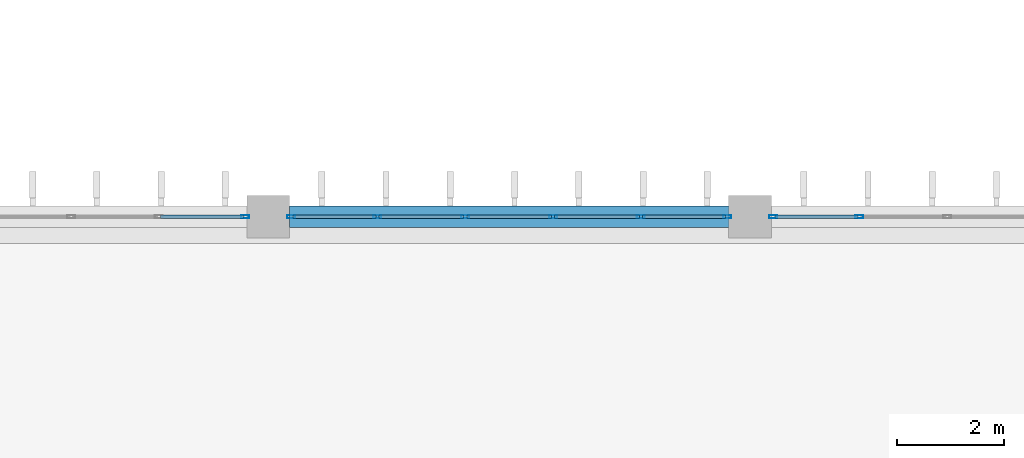
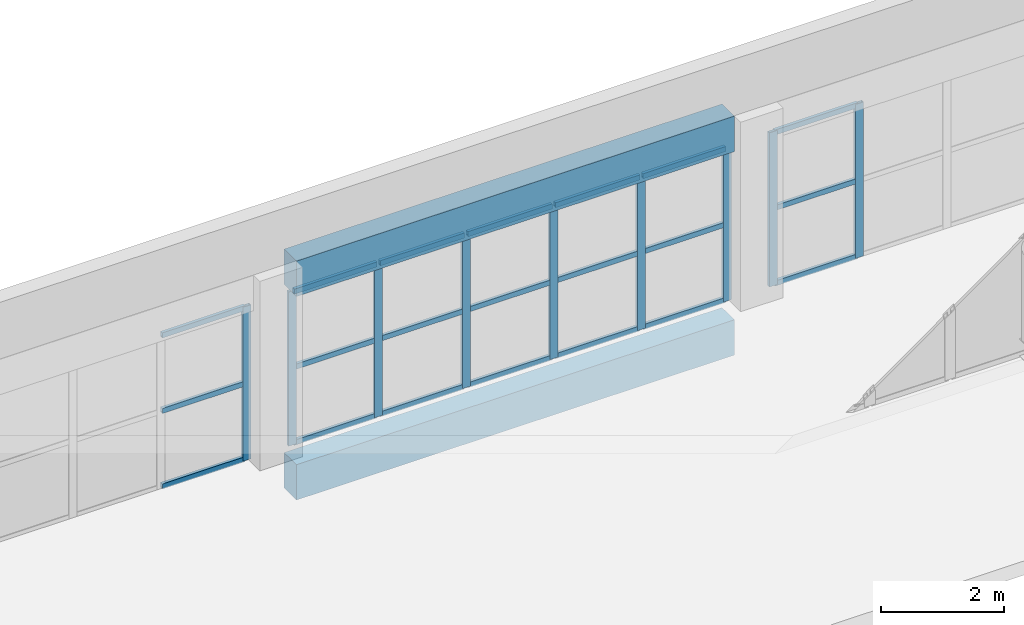
# One storey, part 60 of 185: 30 members, 2 beams, 3 elements without a shape of their own.
"""IFC4 building model written with IfcOpenShell, lengths in metres."""

from ifc_helpers import new_model, si_unit, direction, frame, origin, origin_2d, place, context, subcontext, project, spatial, rectangle, hollow_rectangle, extrude, material, layer, layer_set, material_profile, profile_set, type_object, element, aggregate, save


model = new_model("IFC4")

# Units and contexts
model_context = context("Model", 3, precision=1e-05, world=origin(), true_north=direction((0.0, 1.0)))
body_context = subcontext(model_context, "Body", "Model", "MODEL_VIEW")
ifc_project = project(units=[si_unit("LENGTHUNIT", "METRE"), si_unit("AREAUNIT", "SQUARE_METRE"), si_unit("VOLUMEUNIT", "CUBIC_METRE"), si_unit("PLANEANGLEUNIT", "RADIAN"), si_unit("MASSUNIT", "GRAM", prefix="KILO")], contexts=[model_context])

# Site, building, storey
site_placement = place(None, origin())
site = spatial("IfcSite", under=ifc_project, at=site_placement, CompositionType="ELEMENT")
building_placement = place(site_placement, origin())
building = spatial("IfcBuilding", under=site, at=building_placement, Name="Opaline Strait Convention Centre", CompositionType="ELEMENT")
storey_placement = place(building_placement, frame((0.0, 0.0, 6.0)))
storey = spatial("IfcBuildingStorey", under=building, at=storey_placement, Name="L01", CompositionType="ELEMENT", Elevation=6.0)

# Curtain wall, member
ifc_material_1 = material(Name="Aluminium 6063-T5", Category="aluminium")
ifc_layer = layer(ifc_material_1, 0.199951171875)
ifc_layer_set = layer_set([ifc_layer], Name="Aluminium 6063-T5")
curtain_wall_type = type_object("IfcCurtainWallType", Name="Unitised curtain wall 1640 module", PredefinedType="NOTDEFINED", material=ifc_layer_set)
curtain_wall_1_placement = place(storey_placement, origin())
curtain_wall_1 = element("IfcCurtainWall", 1, at=curtain_wall_1_placement, inside=storey, type_object=curtain_wall_type, Name="Ballroom north curtain wall L01 bay 3", PredefinedType="NOTDEFINED")
ifc_material_2 = material(Name="Aluminium alloy 6063", Category="aluminium")
ifc_material_profile_1 = material_profile(ifc_material_2, hollow_rectangle(XDim=0.06005859375, YDim=0.14990234375, WallThickness=0.00390625, at=origin_2d()), Name="MULLION 60x150x4")
ifc_profile_set_1 = profile_set([ifc_material_profile_1], Name="Aluminium alloy 6063")
member_type_1 = type_object("IfcMemberType", Name="Curtain wall mullion 60 x 150", PredefinedType="MULLION", material=ifc_profile_set_1)
member_1_placement = place(storey_placement, frame((314.570068359375, 72.0, 0.0), z_axis=(0.0, 0.0, 1.0), x_axis=(0.0, 1.0, 0.0)))
member_1 = element("IfcMember", 2, at=member_1_placement, type_object=member_type_1, Name="BG2 mullion 6", PredefinedType="MULLION", context=body_context, shape_type="SweptSolid", body=[
    extrude(hollow_rectangle(XDim=0.06005859375, YDim=0.14990234375, WallThickness=0.00390625, at=origin_2d()), origin(), (0.0, 0.0, 1.0), 3.050048828125),
])

# Curtain wall, members
curtain_wall_2_placement = place(storey_placement, origin())
curtain_wall_2 = element("IfcCurtainWall", 3, at=curtain_wall_2_placement, inside=storey, type_object=curtain_wall_type, Name="Ballroom north curtain wall L01 bay 4", PredefinedType="NOTDEFINED")
member_2_placement = place(storey_placement, frame((315.429931640625, 72.0, 0.0), z_axis=(0.0, 0.0, 1.0), x_axis=(0.0, 1.0, 0.0)))
member_2 = element("IfcMember", 4, at=member_2_placement, type_object=member_type_1, Name="BG2 mullion 1", PredefinedType="MULLION", context=body_context, shape_type="SweptSolid", body=[
    extrude(hollow_rectangle(XDim=0.06005859375, YDim=0.14990234375, WallThickness=0.00390625, at=origin_2d()), origin(), (0.0, 0.0, 1.0), 3.050048828125),
])
member_3_placement = place(storey_placement, frame((317.0400390625, 72.0, 0.0), z_axis=(0.0, 0.0, 1.0), x_axis=(0.0, 1.0, 0.0)))
member_3 = element("IfcMember", 5, at=member_3_placement, type_object=member_type_1, Name="BG2 mullion 2", PredefinedType="MULLION", context=body_context, shape_type="SweptSolid", body=[
    extrude(hollow_rectangle(XDim=0.06005859375, YDim=0.14990234375, WallThickness=0.00390625, at=origin_2d()), origin(), (0.0, 0.0, 1.0), 3.050048828125),
])
member_4_placement = place(storey_placement, frame((318.679931640625, 72.0, 0.0), z_axis=(0.0, 0.0, 1.0), x_axis=(0.0, 1.0, 0.0)))
member_4 = element("IfcMember", 6, at=member_4_placement, type_object=member_type_1, Name="BG2 mullion 3", PredefinedType="MULLION", context=body_context, shape_type="SweptSolid", body=[
    extrude(hollow_rectangle(XDim=0.06005859375, YDim=0.14990234375, WallThickness=0.00390625, at=origin_2d()), origin(), (0.0, 0.0, 1.0), 3.050048828125),
])
member_5_placement = place(storey_placement, frame((320.320068359375, 72.0, 0.0), z_axis=(0.0, 0.0, 1.0), x_axis=(0.0, 1.0, 0.0)))
member_5 = element("IfcMember", 7, at=member_5_placement, type_object=member_type_1, Name="BG2 mullion 4", PredefinedType="MULLION", context=body_context, shape_type="SweptSolid", body=[
    extrude(hollow_rectangle(XDim=0.06005859375, YDim=0.14990234375, WallThickness=0.00390625, at=origin_2d()), origin(), (0.0, 0.0, 1.0), 3.050048828125),
])
member_6_placement = place(storey_placement, frame((321.9599609375, 72.0, 0.0), z_axis=(0.0, 0.0, 1.0), x_axis=(0.0, 1.0, 0.0)))
member_6 = element("IfcMember", 8, at=member_6_placement, type_object=member_type_1, Name="BG2 mullion 5", PredefinedType="MULLION", context=body_context, shape_type="SweptSolid", body=[
    extrude(hollow_rectangle(XDim=0.06005859375, YDim=0.14990234375, WallThickness=0.00390625, at=origin_2d()), origin(), (0.0, 0.0, 1.0), 3.050048828125),
])
member_7_placement = place(storey_placement, frame((323.570068359375, 72.0, 0.0), z_axis=(0.0, 0.0, 1.0), x_axis=(0.0, 1.0, 0.0)))
member_7 = element("IfcMember", 9, at=member_7_placement, type_object=member_type_1, Name="BG2 mullion 6", PredefinedType="MULLION", context=body_context, shape_type="SweptSolid", body=[
    extrude(hollow_rectangle(XDim=0.06005859375, YDim=0.14990234375, WallThickness=0.00390625, at=origin_2d()), origin(), (0.0, 0.0, 1.0), 3.050048828125),
])

curtain_wall_3_placement = place(storey_placement, origin())
curtain_wall_3 = element("IfcCurtainWall", 10, at=curtain_wall_3_placement, inside=storey, type_object=curtain_wall_type, Name="Ballroom north curtain wall L01 bay 5", PredefinedType="NOTDEFINED")
member_8_placement = place(storey_placement, frame((324.429931640625, 72.0, 0.0), z_axis=(0.0, 0.0, 1.0), x_axis=(0.0, 1.0, 0.0)))
member_8 = element("IfcMember", 11, at=member_8_placement, type_object=member_type_1, Name="BG2 mullion 1", PredefinedType="MULLION", context=body_context, shape_type="SweptSolid", body=[
    extrude(hollow_rectangle(XDim=0.06005859375, YDim=0.14990234375, WallThickness=0.00390625, at=origin_2d()), origin(), (0.0, 0.0, 1.0), 3.050048828125),
])
member_9_placement = place(storey_placement, frame((326.0400390625, 72.0, 0.0), z_axis=(0.0, 0.0, 1.0), x_axis=(0.0, 1.0, 0.0)))
member_9 = element("IfcMember", 12, at=member_9_placement, type_object=member_type_1, Name="BG2 mullion 2", PredefinedType="MULLION", context=body_context, shape_type="SweptSolid", body=[
    extrude(hollow_rectangle(XDim=0.06005859375, YDim=0.14990234375, WallThickness=0.00390625, at=origin_2d()), origin(), (0.0, 0.0, 1.0), 3.050048828125),
])

# Member
ifc_material_profile_2 = material_profile(ifc_material_2, hollow_rectangle(XDim=0.06005859375, YDim=0.10009765625, WallThickness=0.0029296875, at=origin_2d()), Name="TRANSOM 60x100x3")
ifc_profile_set_2 = profile_set([ifc_material_profile_2], Name="Aluminium alloy 6063")
member_type_2 = type_object("IfcMemberType", Name="Curtain wall transom 60 x 100", PredefinedType="USERDEFINED", material=ifc_profile_set_2)
member_10_placement = place(storey_placement, frame((312.989990234375, 72.0, 0.030029296875), z_axis=(1.0, 0.0, 0.0), x_axis=(0.0, 1.0, 0.0)))
member_10 = element("IfcMember", 13, at=member_10_placement, type_object=member_type_2, Name="BG2 transom 5.1", ObjectType="TRANSOM", PredefinedType="USERDEFINED", context=body_context, shape_type="SweptSolid", body=[
    extrude(hollow_rectangle(XDim=0.06005859375, YDim=0.10009765625, WallThickness=0.0029296875, at=origin_2d()), origin(), (0.0, 0.0, 1.0), 1.550048828125),
])

member_11_placement = place(storey_placement, frame((312.989990234375, 72.0, 1.52490234375), z_axis=(1.0, 0.0, 0.0), x_axis=(0.0, 1.0, 0.0)))
member_11 = element("IfcMember", 14, at=member_11_placement, type_object=member_type_2, Name="BG2 transom 5.2", ObjectType="TRANSOM", PredefinedType="USERDEFINED", context=body_context, shape_type="SweptSolid", body=[
    extrude(hollow_rectangle(XDim=0.06005859375, YDim=0.10009765625, WallThickness=0.0029296875, at=origin_2d()), origin(), (0.0, 0.0, 1.0), 1.550048828125),
])

member_12_placement = place(storey_placement, frame((312.989990234375, 72.0, 3.02001953125), z_axis=(1.0, 0.0, 0.0), x_axis=(0.0, 1.0, 0.0)))
member_12 = element("IfcMember", 15, at=member_12_placement, type_object=member_type_2, Name="BG2 transom 5.3", ObjectType="TRANSOM", PredefinedType="USERDEFINED", context=body_context, shape_type="SweptSolid", body=[
    extrude(hollow_rectangle(XDim=0.06005859375, YDim=0.10009765625, WallThickness=0.0029296875, at=origin_2d()), origin(), (0.0, 0.0, 1.0), 1.550048828125),
])

aggregate(curtain_wall_1, [member_1, member_10, member_11, member_12])

member_13_placement = place(storey_placement, frame((315.4599609375, 72.0, 0.030029296875), z_axis=(1.0, 0.0, 0.0), x_axis=(0.0, 1.0, 0.0)))
member_13 = element("IfcMember", 16, at=member_13_placement, type_object=member_type_2, Name="BG2 transom 1.1", ObjectType="TRANSOM", PredefinedType="USERDEFINED", context=body_context, shape_type="SweptSolid", body=[
    extrude(hollow_rectangle(XDim=0.06005859375, YDim=0.10009765625, WallThickness=0.0029296875, at=origin_2d()), origin(), (0.0, 0.0, 1.0), 1.550048828125),
])

member_14_placement = place(storey_placement, frame((315.4599609375, 72.0, 1.52490234375), z_axis=(1.0, 0.0, 0.0), x_axis=(0.0, 1.0, 0.0)))
member_14 = element("IfcMember", 17, at=member_14_placement, type_object=member_type_2, Name="BG2 transom 1.2", ObjectType="TRANSOM", PredefinedType="USERDEFINED", context=body_context, shape_type="SweptSolid", body=[
    extrude(hollow_rectangle(XDim=0.06005859375, YDim=0.10009765625, WallThickness=0.0029296875, at=origin_2d()), origin(), (0.0, 0.0, 1.0), 1.550048828125),
])

member_15_placement = place(storey_placement, frame((315.4599609375, 72.0, 3.02001953125), z_axis=(1.0, 0.0, 0.0), x_axis=(0.0, 1.0, 0.0)))
member_15 = element("IfcMember", 18, at=member_15_placement, type_object=member_type_2, Name="BG2 transom 1.3", ObjectType="TRANSOM", PredefinedType="USERDEFINED", context=body_context, shape_type="SweptSolid", body=[
    extrude(hollow_rectangle(XDim=0.06005859375, YDim=0.10009765625, WallThickness=0.0029296875, at=origin_2d()), origin(), (0.0, 0.0, 1.0), 1.550048828125),
])

member_16_placement = place(storey_placement, frame((317.06982421875, 72.0, 0.030029296875), z_axis=(1.0, 0.0, 0.0), x_axis=(0.0, 1.0, 0.0)))
member_16 = element("IfcMember", 19, at=member_16_placement, type_object=member_type_2, Name="BG2 transom 2.1", ObjectType="TRANSOM", PredefinedType="USERDEFINED", context=body_context, shape_type="SweptSolid", body=[
    extrude(hollow_rectangle(XDim=0.06005859375, YDim=0.10009765625, WallThickness=0.0029296875, at=origin_2d()), origin(), (0.0, 0.0, 1.0), 1.580078125),
])

member_17_placement = place(storey_placement, frame((317.06982421875, 72.0, 1.52490234375), z_axis=(1.0, 0.0, 0.0), x_axis=(0.0, 1.0, 0.0)))
member_17 = element("IfcMember", 20, at=member_17_placement, type_object=member_type_2, Name="BG2 transom 2.2", ObjectType="TRANSOM", PredefinedType="USERDEFINED", context=body_context, shape_type="SweptSolid", body=[
    extrude(hollow_rectangle(XDim=0.06005859375, YDim=0.10009765625, WallThickness=0.0029296875, at=origin_2d()), origin(), (0.0, 0.0, 1.0), 1.580078125),
])

member_18_placement = place(storey_placement, frame((317.06982421875, 72.0, 3.02001953125), z_axis=(1.0, 0.0, 0.0), x_axis=(0.0, 1.0, 0.0)))
member_18 = element("IfcMember", 21, at=member_18_placement, type_object=member_type_2, Name="BG2 transom 2.3", ObjectType="TRANSOM", PredefinedType="USERDEFINED", context=body_context, shape_type="SweptSolid", body=[
    extrude(hollow_rectangle(XDim=0.06005859375, YDim=0.10009765625, WallThickness=0.0029296875, at=origin_2d()), origin(), (0.0, 0.0, 1.0), 1.580078125),
])

member_19_placement = place(storey_placement, frame((318.7099609375, 72.0, 0.030029296875), z_axis=(1.0, 0.0, 0.0), x_axis=(0.0, 1.0, 0.0)))
member_19 = element("IfcMember", 22, at=member_19_placement, type_object=member_type_2, Name="BG2 transom 3.1", ObjectType="TRANSOM", PredefinedType="USERDEFINED", context=body_context, shape_type="SweptSolid", body=[
    extrude(hollow_rectangle(XDim=0.06005859375, YDim=0.10009765625, WallThickness=0.0029296875, at=origin_2d()), origin(), (0.0, 0.0, 1.0), 1.580078125),
])

member_20_placement = place(storey_placement, frame((318.7099609375, 72.0, 1.52490234375), z_axis=(1.0, 0.0, 0.0), x_axis=(0.0, 1.0, 0.0)))
member_20 = element("IfcMember", 23, at=member_20_placement, type_object=member_type_2, Name="BG2 transom 3.2", ObjectType="TRANSOM", PredefinedType="USERDEFINED", context=body_context, shape_type="SweptSolid", body=[
    extrude(hollow_rectangle(XDim=0.06005859375, YDim=0.10009765625, WallThickness=0.0029296875, at=origin_2d()), origin(), (0.0, 0.0, 1.0), 1.580078125),
])

member_21_placement = place(storey_placement, frame((318.7099609375, 72.0, 3.02001953125), z_axis=(1.0, 0.0, 0.0), x_axis=(0.0, 1.0, 0.0)))
member_21 = element("IfcMember", 24, at=member_21_placement, type_object=member_type_2, Name="BG2 transom 3.3", ObjectType="TRANSOM", PredefinedType="USERDEFINED", context=body_context, shape_type="SweptSolid", body=[
    extrude(hollow_rectangle(XDim=0.06005859375, YDim=0.10009765625, WallThickness=0.0029296875, at=origin_2d()), origin(), (0.0, 0.0, 1.0), 1.580078125),
])

member_22_placement = place(storey_placement, frame((320.35009765625, 72.0, 0.030029296875), z_axis=(1.0, 0.0, 0.0), x_axis=(0.0, 1.0, 0.0)))
member_22 = element("IfcMember", 25, at=member_22_placement, type_object=member_type_2, Name="BG2 transom 4.1", ObjectType="TRANSOM", PredefinedType="USERDEFINED", context=body_context, shape_type="SweptSolid", body=[
    extrude(hollow_rectangle(XDim=0.06005859375, YDim=0.10009765625, WallThickness=0.0029296875, at=origin_2d()), origin(), (0.0, 0.0, 1.0), 1.580078125),
])

member_23_placement = place(storey_placement, frame((320.35009765625, 72.0, 1.52490234375), z_axis=(1.0, 0.0, 0.0), x_axis=(0.0, 1.0, 0.0)))
member_23 = element("IfcMember", 26, at=member_23_placement, type_object=member_type_2, Name="BG2 transom 4.2", ObjectType="TRANSOM", PredefinedType="USERDEFINED", context=body_context, shape_type="SweptSolid", body=[
    extrude(hollow_rectangle(XDim=0.06005859375, YDim=0.10009765625, WallThickness=0.0029296875, at=origin_2d()), origin(), (0.0, 0.0, 1.0), 1.580078125),
])

member_24_placement = place(storey_placement, frame((320.35009765625, 72.0, 3.02001953125), z_axis=(1.0, 0.0, 0.0), x_axis=(0.0, 1.0, 0.0)))
member_24 = element("IfcMember", 27, at=member_24_placement, type_object=member_type_2, Name="BG2 transom 4.3", ObjectType="TRANSOM", PredefinedType="USERDEFINED", context=body_context, shape_type="SweptSolid", body=[
    extrude(hollow_rectangle(XDim=0.06005859375, YDim=0.10009765625, WallThickness=0.0029296875, at=origin_2d()), origin(), (0.0, 0.0, 1.0), 1.580078125),
])

member_25_placement = place(storey_placement, frame((321.989990234375, 72.0, 0.030029296875), z_axis=(1.0, 0.0, 0.0), x_axis=(0.0, 1.0, 0.0)))
member_25 = element("IfcMember", 28, at=member_25_placement, type_object=member_type_2, Name="BG2 transom 5.1", ObjectType="TRANSOM", PredefinedType="USERDEFINED", context=body_context, shape_type="SweptSolid", body=[
    extrude(hollow_rectangle(XDim=0.06005859375, YDim=0.10009765625, WallThickness=0.0029296875, at=origin_2d()), origin(), (0.0, 0.0, 1.0), 1.550048828125),
])

member_26_placement = place(storey_placement, frame((321.989990234375, 72.0, 1.52490234375), z_axis=(1.0, 0.0, 0.0), x_axis=(0.0, 1.0, 0.0)))
member_26 = element("IfcMember", 29, at=member_26_placement, type_object=member_type_2, Name="BG2 transom 5.2", ObjectType="TRANSOM", PredefinedType="USERDEFINED", context=body_context, shape_type="SweptSolid", body=[
    extrude(hollow_rectangle(XDim=0.06005859375, YDim=0.10009765625, WallThickness=0.0029296875, at=origin_2d()), origin(), (0.0, 0.0, 1.0), 1.550048828125),
])

member_27_placement = place(storey_placement, frame((321.989990234375, 72.0, 3.02001953125), z_axis=(1.0, 0.0, 0.0), x_axis=(0.0, 1.0, 0.0)))
member_27 = element("IfcMember", 30, at=member_27_placement, type_object=member_type_2, Name="BG2 transom 5.3", ObjectType="TRANSOM", PredefinedType="USERDEFINED", context=body_context, shape_type="SweptSolid", body=[
    extrude(hollow_rectangle(XDim=0.06005859375, YDim=0.10009765625, WallThickness=0.0029296875, at=origin_2d()), origin(), (0.0, 0.0, 1.0), 1.550048828125),
])

aggregate(curtain_wall_2, [member_2, member_3, member_4, member_5, member_6, member_7, member_13, member_14, member_15, member_16, member_17, member_18, member_19, member_20, member_21, member_22, member_23, member_24, member_25, member_26, member_27])

member_28_placement = place(storey_placement, frame((324.4599609375, 72.0, 0.030029296875), z_axis=(1.0, 0.0, 0.0), x_axis=(0.0, 1.0, 0.0)))
member_28 = element("IfcMember", 31, at=member_28_placement, type_object=member_type_2, Name="BG2 transom 1.1", ObjectType="TRANSOM", PredefinedType="USERDEFINED", context=body_context, shape_type="SweptSolid", body=[
    extrude(hollow_rectangle(XDim=0.06005859375, YDim=0.10009765625, WallThickness=0.0029296875, at=origin_2d()), origin(), (0.0, 0.0, 1.0), 1.550048828125),
])

member_29_placement = place(storey_placement, frame((324.4599609375, 72.0, 1.52490234375), z_axis=(1.0, 0.0, 0.0), x_axis=(0.0, 1.0, 0.0)))
member_29 = element("IfcMember", 32, at=member_29_placement, type_object=member_type_2, Name="BG2 transom 1.2", ObjectType="TRANSOM", PredefinedType="USERDEFINED", context=body_context, shape_type="SweptSolid", body=[
    extrude(hollow_rectangle(XDim=0.06005859375, YDim=0.10009765625, WallThickness=0.0029296875, at=origin_2d()), origin(), (0.0, 0.0, 1.0), 1.550048828125),
])

member_30_placement = place(storey_placement, frame((324.4599609375, 72.0, 3.02001953125), z_axis=(1.0, 0.0, 0.0), x_axis=(0.0, 1.0, 0.0)))
member_30 = element("IfcMember", 33, at=member_30_placement, type_object=member_type_2, Name="BG2 transom 1.3", ObjectType="TRANSOM", PredefinedType="USERDEFINED", context=body_context, shape_type="SweptSolid", body=[
    extrude(hollow_rectangle(XDim=0.06005859375, YDim=0.10009765625, WallThickness=0.0029296875, at=origin_2d()), origin(), (0.0, 0.0, 1.0), 1.550048828125),
])

aggregate(curtain_wall_3, [member_8, member_9, member_28, member_29, member_30])

# Beams
ifc_material_3 = material(Name="Concrete C35", Category="concrete")
ifc_material_profile_3 = material_profile(ifc_material_3, rectangle(XDim=0.39990234375, YDim=0.699951171875, at=origin_2d()), Name="RC 400x700")
ifc_profile_set_3 = profile_set([ifc_material_profile_3], Name="Concrete C35")
beam_type = type_object("IfcBeamType", Name="RC girder 400x700 C35", PredefinedType="BEAM", material=ifc_profile_set_3)
for number, where, z_axis, x_axis, name in (
    (34, (315.39990234375, 72.0, -0.6298828125), (1.0, 0.0, 0.0), (0.0, 1.0, 0.0), "BB1 girder 36/J-37/J F"),
    (35, (315.39990234375, 72.0, 3.39990234375), (1.0, 0.0, 0.0), (0.0, 1.0, 0.0), "BB1 girder 36/J-37/J R"),
):
    element("IfcBeam", number, at=place(storey_placement, frame(where, z_axis=z_axis, x_axis=x_axis)), inside=storey, type_object=beam_type, Name=name, PredefinedType="BEAM", context=body_context, shape_type="SweptSolid", body=[
        extrude(rectangle(XDim=0.39990234375, YDim=0.699951171875, at=origin_2d()), origin(), (0.0, 0.0, 1.0), 8.2001953125),
    ])

save(model, "model.ifc")
